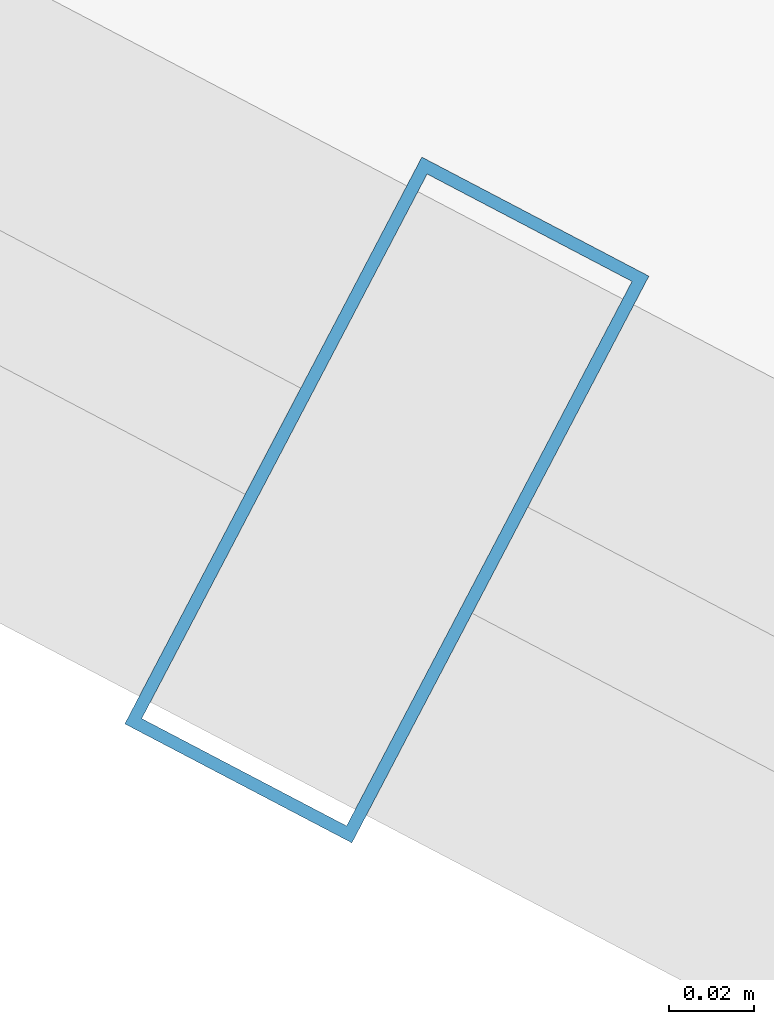
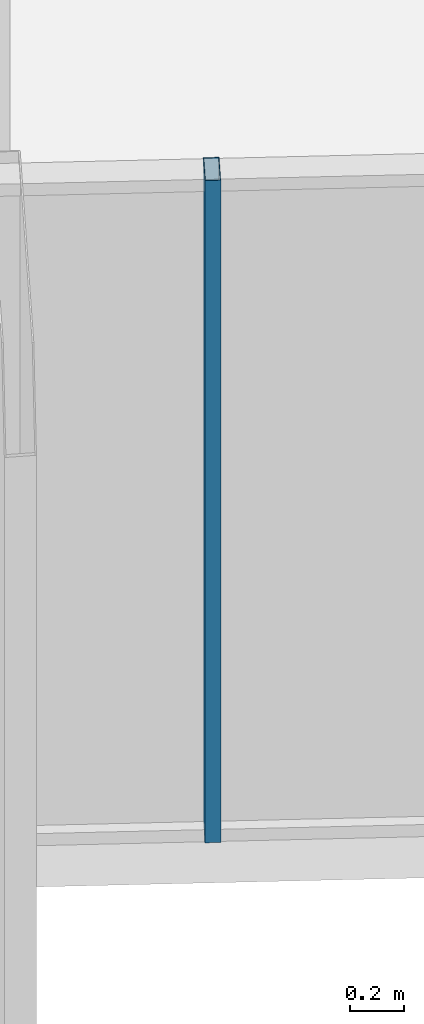
# One storey, part 4 of 33: 1 member, 1 element without a shape of its own.
"""IFC4 building model written with IfcOpenShell, lengths in metres."""

import ifcopenshell
import ifcopenshell.guid

model = None  # the IFC model being written
_history = None  # IfcOwnerHistory: only IFC2X3 demands one
_inside = {}  # id of a spatial element -> (the spatial element, [elements in it])
_under = {}  # id of a project, library or spatial element -> (it, [spatial elements below it])
_declared = {}  # id of a project -> (the project, [libraries it declares])
_typed = {}  # id of a type object -> (the type object, [elements of that type])
_made_of = {}  # id of a material, layer set ... -> (it, [elements and type objects made of it])


def new_model(schema):
    """Start an empty IFC model of exactly this schema.

    Asked for "IFC4X3", IfcOpenShell would pick the latest addendum, in which some entities
    have other attributes; the version numbers below select the first issue.
    IFC2X3 requires an IfcOwnerHistory on every rooted entity: one is made here for all.
    """
    global model, _history
    if schema == "IFC4X3":
        model = ifcopenshell.file(schema_version=(4, 3, 0, 0))
    else:
        model = ifcopenshell.file(schema=schema)
    _inside.clear()
    _under.clear()
    _declared.clear()
    _typed.clear()
    _made_of.clear()
    _history = None
    if model.schema == "IFC2X3":
        org = make("IfcOrganization", Name="unknown")
        user = make(
            "IfcPersonAndOrganization",
            ThePerson=make("IfcPerson", FamilyName="unknown"),
            TheOrganization=org,
        )
        app = make(
            "IfcApplication",
            ApplicationDeveloper=org,
            Version="unknown",
            ApplicationFullName="unknown",
            ApplicationIdentifier="unknown",
        )
        _history = make(
            "IfcOwnerHistory",
            OwningUser=user,
            OwningApplication=app,
            ChangeAction="ADDED",
            CreationDate=0,
        )
    return model


def make(cls, **values):
    """One entity of the class cls with the attributes given. An attribute that is None is left unset."""
    return model.create_entity(
        cls, **{name: value for name, value in values.items() if value is not None}
    )


def rooted(cls, **values):
    """An entity with a GlobalId (a new one), such as an element, a storey or a relation."""
    return make(cls, GlobalId=ifcopenshell.guid.new(), OwnerHistory=_history, **values)


def si_unit(unit_type, name, prefix=None):
    """IfcSIUnit, for example si_unit("LENGTHUNIT", "METRE", prefix="MILLI")."""
    return make("IfcSIUnit", UnitType=unit_type, Prefix=prefix, Name=name)


def assignment(units):
    """IfcUnitAssignment: the units of a project."""
    return None if units is None else make("IfcUnitAssignment", Units=units)


def point(xyz):
    """IfcCartesianPoint."""
    return None if xyz is None else make("IfcCartesianPoint", Coordinates=xyz)


def direction(xyz):
    """IfcDirection."""
    return None if xyz is None else make("IfcDirection", DirectionRatios=xyz)


def frame(location, z_axis=None, x_axis=None):
    """IfcAxis2Placement3D, a coordinate frame: its origin and axes. An axis left out is left unset."""
    return make(
        "IfcAxis2Placement3D",
        Location=point(location),
        Axis=direction(z_axis),
        RefDirection=direction(x_axis),
    )


def frame_2d(location, x_axis=None):
    """IfcAxis2Placement2D, a coordinate frame in the plane: its origin and x axis."""
    return make(
        "IfcAxis2Placement2D", Location=point(location), RefDirection=direction(x_axis)
    )


def origin():
    """The frame at (0, 0, 0) with its axes left unset."""
    return frame((0.0, 0.0, 0.0))


def origin_2d():
    """The frame at (0, 0) in the plane with its x axis left unset."""
    return frame_2d((0.0, 0.0))


def place(relative_to, where):
    """IfcLocalPlacement: puts the frame where relative to a parent placement (None: the world)."""
    return make(
        "IfcLocalPlacement", PlacementRelTo=relative_to, RelativePlacement=where
    )


def context(
    kind, dimensions, precision=None, world=None, true_north=None, identifier=None
):
    """IfcGeometricRepresentationContext, for example the 3D "Model" context."""
    return make(
        "IfcGeometricRepresentationContext",
        ContextIdentifier=identifier,
        ContextType=kind,
        CoordinateSpaceDimension=dimensions,
        Precision=precision,
        WorldCoordinateSystem=world,
        TrueNorth=true_north,
    )


def subcontext(parent, identifier, kind, view, scale=None):
    """IfcGeometricRepresentationSubContext, for example "Body" below "Model"."""
    return make(
        "IfcGeometricRepresentationSubContext",
        ContextIdentifier=identifier,
        ContextType=kind,
        ParentContext=parent,
        TargetScale=scale,
        TargetView=view,
    )


def project(units=None, contexts=None):
    """IfcProject with its units and contexts."""
    return rooted(
        "IfcProject",
        Name="project",
        RepresentationContexts=contexts,
        UnitsInContext=assignment(units),
    )


def spatial(cls, under=None, at=None, **own):
    """A site, building, storey or space (cls), placed at a placement, below another one or the project."""
    s = rooted(cls, ObjectPlacement=at, **own)
    if under is not None:
        _under.setdefault(under.id(), (under, []))[1].append(s)
    return s


def profile(cls, at=None, kind="AREA", **sizes):
    """A parametric profile (cls). Its sizes go by their IFC names, for example OverallWidth=200.0."""
    return make(cls, ProfileType=kind, Position=at, **sizes)


def hollow_rectangle(**sizes):
    """IfcRectangleHollowProfileDef."""
    return profile("IfcRectangleHollowProfileDef", **sizes)


def extrude(swept, where, along, depth):
    """IfcExtrudedAreaSolid: the profile swept, set in the frame where, extruded along a direction by depth."""
    return make(
        "IfcExtrudedAreaSolid",
        SweptArea=swept,
        Position=where,
        ExtrudedDirection=direction(along),
        Depth=depth,
    )


def shape(context_of_items, identifier, shape_type, items):
    """IfcShapeRepresentation: the items that make up one representation, for example the "Body"."""
    return make(
        "IfcShapeRepresentation",
        ContextOfItems=context_of_items,
        RepresentationIdentifier=identifier,
        RepresentationType=shape_type,
        Items=items,
    )


def source(mapping_origin, context_of_items, identifier, shape_type, items):
    """IfcRepresentationMap: a shape defined once, which mapped items show again and again."""
    return make(
        "IfcRepresentationMap",
        MappingOrigin=mapping_origin,
        MappedRepresentation=shape(context_of_items, identifier, shape_type, items),
    )


def transform(
    local_origin,
    x_axis=None,
    y_axis=None,
    z_axis=None,
    scale=None,
    scale2=None,
    scale3=None,
    uniform=True,
):
    """IfcCartesianTransformationOperator3D, or its non-uniform kind. x_axis, y_axis, z_axis: its Axis1, 2, 3."""
    if uniform:
        return make(
            "IfcCartesianTransformationOperator3D",
            Axis1=direction(x_axis),
            Axis2=direction(y_axis),
            LocalOrigin=point(local_origin),
            Scale=scale,
            Axis3=direction(z_axis),
        )
    return make(
        "IfcCartesianTransformationOperator3DnonUniform",
        Axis1=direction(x_axis),
        Axis2=direction(y_axis),
        LocalOrigin=point(local_origin),
        Scale=scale,
        Axis3=direction(z_axis),
        Scale2=scale2,
        Scale3=scale3,
    )


def mapped(mapping_source, mapping_target):
    """IfcMappedItem: shows the shape of a source again, moved by a transform."""
    return make(
        "IfcMappedItem", MappingSource=mapping_source, MappingTarget=mapping_target
    )


def material(Name=None, Category=None):
    """IfcMaterial."""
    return make("IfcMaterial", Name=Name, Category=Category)


def layer(
    of_material, thickness, ventilated=None, Name=None, Category=None, Priority=None
):
    """IfcMaterialLayer: one layer of a wall or slab, of a material (None: an air gap)."""
    return make(
        "IfcMaterialLayer",
        Material=of_material,
        LayerThickness=thickness,
        IsVentilated=ventilated,
        Name=Name,
        Category=Category,
        Priority=Priority,
    )


def layer_set(layers, Name=None):
    """IfcMaterialLayerSet."""
    return make("IfcMaterialLayerSet", MaterialLayers=layers, LayerSetName=Name)


def material_profile(
    of_material, cross_section, Name=None, Category=None, Priority=None
):
    """IfcMaterialProfile: a cross section and its material."""
    return make(
        "IfcMaterialProfile",
        Name=Name,
        Material=of_material,
        Profile=cross_section,
        Priority=Priority,
        Category=Category,
    )


def profile_set(profiles, Name=None, composite=None):
    """IfcMaterialProfileSet."""
    return make(
        "IfcMaterialProfileSet",
        Name=Name,
        MaterialProfiles=profiles,
        CompositeProfile=composite,
    )


def made_of(thing, what):
    """Note that an element or type object is made of a material, layer set ...; save() writes the relation."""
    if what is not None:
        _made_of.setdefault(what.id(), (what, []))[1].append(thing)
    return thing


def type_object(cls, material=None, **own):
    """A type object (cls), such as IfcWallType, which elements share."""
    return made_of(rooted(cls, **own), material)


def element(
    cls,
    number,
    at=None,
    inside=None,
    cuts=None,
    type_object=None,
    material=None,
    context=None,
    identifier="Body",
    shape_type=None,
    held_by="IfcProductDefinitionShape",
    body=None,
    shapes=None,
    **own,
):
    """One element of the class cls, such as IfcWall. Its Tag is "e" and its number.

    at: its placement. inside: the storey or other place that contains it. cuts: it is an
    opening in that element (IfcRelVoidsElement). A single representation is given by context,
    identifier, shape_type and body (its items); several are given by shapes. held_by: the class
    of the entity that holds the representations. save() writes the other relations.
    """
    e = rooted(cls, Tag="e%d" % number, ObjectPlacement=at, **own)
    if body is not None:
        shapes = [shape(context, identifier, shape_type, body)]
    if shapes is not None:
        e.Representation = make(held_by, Representations=shapes)
    if inside is not None:
        _inside.setdefault(inside.id(), (inside, []))[1].append(e)
    if cuts is not None:
        rooted(
            "IfcRelVoidsElement", RelatingBuildingElement=cuts, RelatedOpeningElement=e
        )
    if type_object is not None:
        _typed.setdefault(type_object.id(), (type_object, []))[1].append(e)
    return made_of(e, material)


def aggregate(whole, parts):
    """IfcRelAggregates: a whole, such as a stair, and the parts it consists of."""
    return rooted("IfcRelAggregates", RelatingObject=whole, RelatedObjects=parts)


def save(model, path):
    """Write the relations noted so far, then the file.

    IfcRelAggregates (storeys below a building ...), IfcRelContainedInSpatialStructure (elements
    in a storey), IfcRelDefinesByType, IfcRelAssociatesMaterial and IfcRelDeclares: one each for
    every whole, place, type object, material and project.
    """
    for whole, parts in _under.values():
        aggregate(whole, parts)
    for where, things in _inside.values():
        rooted(
            "IfcRelContainedInSpatialStructure",
            RelatedElements=things,
            RelatingStructure=where,
        )
    for kind, things in _typed.values():
        rooted("IfcRelDefinesByType", RelatedObjects=things, RelatingType=kind)
    for what, things in _made_of.values():
        rooted("IfcRelAssociatesMaterial", RelatedObjects=things, RelatingMaterial=what)
    for by, libraries in _declared.values():
        rooted("IfcRelDeclares", RelatingContext=by, RelatedDefinitions=libraries)
    model.write(path)


model = new_model("IFC4")

# Units and contexts
model_context = context("Model", 3, precision=1e-05, world=origin(), true_north=direction((0.0, 1.0)))
body_context = subcontext(model_context, "Body", "Model", "MODEL_VIEW")
ifc_project = project(units=[si_unit("LENGTHUNIT", "METRE"), si_unit("AREAUNIT", "SQUARE_METRE"), si_unit("VOLUMEUNIT", "CUBIC_METRE"), si_unit("PLANEANGLEUNIT", "RADIAN"), si_unit("MASSUNIT", "GRAM", prefix="KILO")], contexts=[model_context])

# Site, building, storey
site_placement = place(None, origin())
site = spatial("IfcSite", under=ifc_project, at=site_placement, CompositionType="ELEMENT")
building_placement = place(site_placement, origin())
building = spatial("IfcBuilding", under=site, at=building_placement, Name="Veraguas Prism Commons", CompositionType="ELEMENT")
storey_placement = place(building_placement, frame((0.0, 0.0, 198.35009765625)))
storey = spatial("IfcBuildingStorey", under=building, at=storey_placement, Name="L56", CompositionType="ELEMENT", Elevation=198.35009765625)

# Curtain wall, member
ifc_material = material(Name="Anodised aluminium EN AW-6063 T6", Category="aluminium")
ifc_layer = layer(ifc_material, 0.14990234375, Name="Unitised Flush Curtain Wall Zone 3", Category="aluminium")
ifc_layer_set = layer_set([ifc_layer], Name="Anodised aluminium EN AW-6063 T6")
curtain_wall_type = type_object("IfcCurtainWallType", Name="Unitised Flush Curtain Wall Zone 3", PredefinedType="NOTDEFINED", material=ifc_layer_set)
curtain_wall_placement = place(storey_placement, origin())
curtain_wall = element("IfcCurtainWall", 1, at=curtain_wall_placement, inside=storey, type_object=curtain_wall_type, Name="Tower Facade Curtain Wall L56-F4", PredefinedType="NOTDEFINED")
ifc_material_profile = material_profile(ifc_material, hollow_rectangle(XDim=0.06005859375, YDim=0.14990234375, WallThickness=0.0029296875, at=origin_2d()), Name="AL60X150X3")
ifc_profile_set = profile_set([ifc_material_profile], Name="Anodised aluminium EN AW-6063 T6")
member_type = type_object("IfcMemberType", Name="Curtain Wall Mullion Upper AL 60x150x3", PredefinedType="MULLION", material=ifc_profile_set)
shared_shape = source(origin(), body_context, "Body", "SweptSolid", [
    extrude(hollow_rectangle(XDim=0.06005859375, YDim=0.14990234375, WallThickness=0.0029296875, at=origin_2d()), origin(), (0.0, 0.0, 1.0), 3.014892578125),
])
member_placement = place(storey_placement, frame((19.2998046875, 6.46826171875, 0.0), z_axis=(0.0, 0.0, 1.0), x_axis=(0.885721982014, -0.464216081773, 0.0)))
member = element("IfcMember", 2, at=member_placement, type_object=member_type, Name="CW-Z3 Mullion 4", PredefinedType="MULLION", context=body_context, shape_type="MappedRepresentation", body=[
    mapped(shared_shape, transform((0.0, 0.0, 0.0), scale=1.0)),
])
aggregate(curtain_wall, [member])

save(model, "model.ifc")
